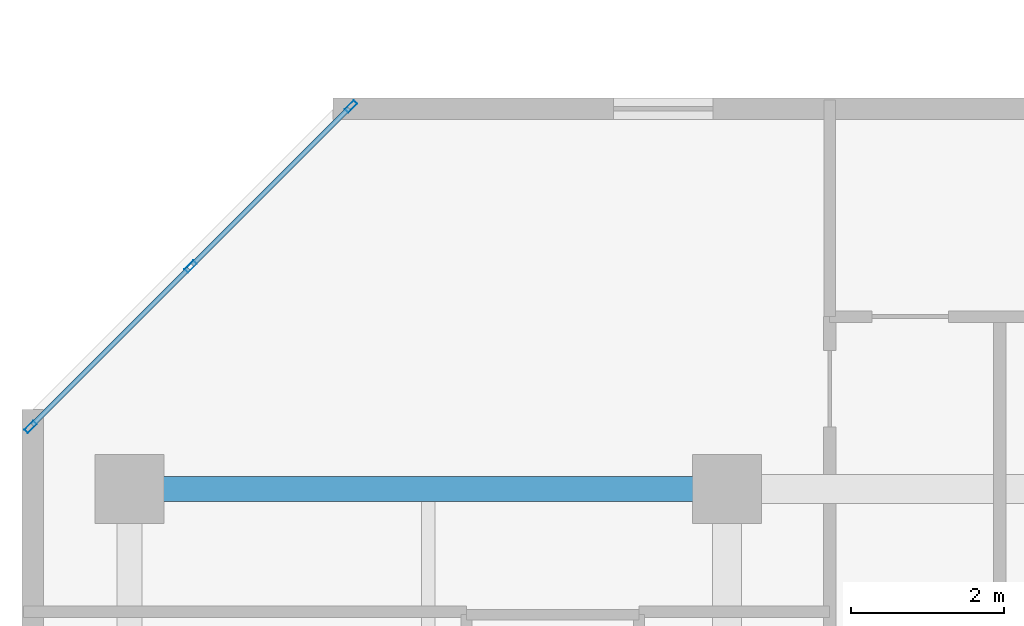
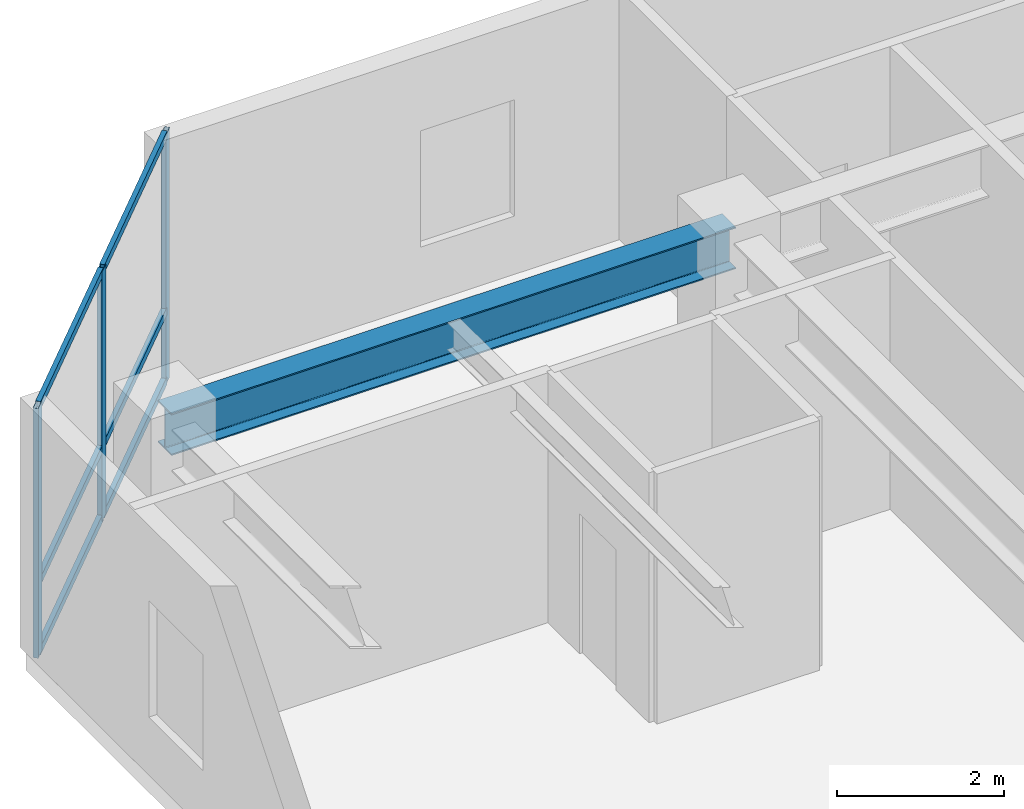
# One storey, part 2 of 11: 9 members, 1 beam, 1 element without a shape of its own.
"""IFC4 building model written with IfcOpenShell, lengths in metres."""

from ifc_helpers import new_model, si_unit, direction, frame, origin, origin_2d, place, context, subcontext, project, spatial, hollow_rectangle, i_section, extrude, material, layer, layer_set, material_profile, profile_set, type_object, element, aggregate, save


model = new_model("IFC4")

# Units and contexts
model_context = context("Model", 3, precision=1e-05, world=origin(), true_north=direction((0.0, 1.0)))
body_context = subcontext(model_context, "Body", "Model", "MODEL_VIEW")
ifc_project = project(units=[si_unit("LENGTHUNIT", "METRE"), si_unit("AREAUNIT", "SQUARE_METRE"), si_unit("VOLUMEUNIT", "CUBIC_METRE"), si_unit("PLANEANGLEUNIT", "RADIAN"), si_unit("MASSUNIT", "GRAM", prefix="KILO")], contexts=[model_context])

# Site, building, storey
site_placement = place(None, origin())
site = spatial("IfcSite", under=ifc_project, at=site_placement, CompositionType="ELEMENT")
building_placement = place(site_placement, origin())
building = spatial("IfcBuilding", under=site, at=building_placement, Name="Kestravale Grand Hotel", CompositionType="ELEMENT")
storey_placement = place(building_placement, frame((0.0, 0.0, 200.699951171875)))
storey = spatial("IfcBuildingStorey", under=building, at=storey_placement, Name="L50", CompositionType="ELEMENT", Elevation=200.699951171875)

# Beam
ifc_material_1 = material(Name="Steel ASTM A992 Grade 50", Category="steel")
ifc_material_profile_1 = material_profile(ifc_material_1, i_section(OverallWidth=0.324951171875, OverallDepth=0.612060546875, WebThickness=0.0126953125, FlangeThickness=0.01904296875, FilletRadius=0.018798828125, at=origin_2d()))
ifc_profile_set_1 = profile_set([ifc_material_profile_1], Name="Steel ASTM A992 Grade 50")
beam_type = type_object("IfcBeamType", Name="B-FLR-W24A", PredefinedType="SPANDREL", material=ifc_profile_set_1)
beam_placement = place(storey_placement, frame((7.800048828125, 38.39990234375, 3.343994140625), z_axis=(1.0, 0.0, 0.0), x_axis=(0.0, 1.0, 0.0)))
element("IfcBeam", 1, at=beam_placement, inside=storey, type_object=beam_type, Name="L50 spandrel F:2-3", PredefinedType="SPANDREL", context=body_context, shape_type="SweptSolid", body=[
    extrude(i_section(OverallWidth=0.324951171875, OverallDepth=0.612060546875, WebThickness=0.0126953125, FlangeThickness=0.01904296875, FilletRadius=0.018798828125, at=origin_2d()), origin(), (0.0, 0.0, 1.0), 7.800048828125),
])

# Curtain wall, members
ifc_material_2 = material(Name="Thermally broken champagne-bronze aluminium and low-E glazing", Category="aluminium")
ifc_layer = layer(ifc_material_2, 0.179931640625)
ifc_layer_set = layer_set([ifc_layer], Name="CW-Z3")
curtain_wall_type = type_object("IfcCurtainWallType", Name="CW-Z3", PredefinedType="NOTDEFINED", material=ifc_layer_set)
curtain_wall_placement = place(storey_placement, origin())
curtain_wall = element("IfcCurtainWall", 2, at=curtain_wall_placement, inside=storey, type_object=curtain_wall_type, Name="L50 unitised curtain wall 18", PredefinedType="NOTDEFINED")
ifc_material_3 = material(Name="Aluminium 6063-T6 anodised", Category="aluminium")
ifc_material_profile_2 = material_profile(ifc_material_3, hollow_rectangle(XDim=0.06494140625, YDim=0.1650390625, WallThickness=0.00341796875, at=origin_2d()))
ifc_profile_set_2 = profile_set([ifc_material_profile_2], Name="Aluminium 6063-T6 anodised")
member_type_1 = type_object("IfcMemberType", Name="CW-MUL-165", PredefinedType="MULLION", material=ifc_profile_set_2)
member_1_placement = place(storey_placement, frame((10.690185546875, 43.392333984375, 0.0), z_axis=(0.0, 0.0, 1.0), x_axis=(0.707106781187, -0.707106781187, 0.0)))
member_1 = element("IfcMember", 3, at=member_1_placement, type_object=member_type_1, Name="CW-Z3 mullion 1", PredefinedType="MULLION", context=body_context, shape_type="SweptSolid", body=[
    extrude(hollow_rectangle(XDim=0.06494140625, YDim=0.1650390625, WallThickness=0.00341796875, at=origin_2d()), origin(), (0.0, 0.0, 1.0), 3.650146484375),
])
member_2_placement = place(storey_placement, frame((8.59912109375, 41.301025390625, 0.0), z_axis=(0.0, 0.0, 1.0), x_axis=(0.707106781187, -0.707106781187, 0.0)))
member_2 = element("IfcMember", 4, at=member_2_placement, type_object=member_type_1, Name="CW-Z3 mullion 2", PredefinedType="MULLION", context=body_context, shape_type="SweptSolid", body=[
    extrude(hollow_rectangle(XDim=0.06494140625, YDim=0.1650390625, WallThickness=0.00341796875, at=origin_2d()), origin(), (0.0, 0.0, 1.0), 3.650146484375),
])
member_3_placement = place(storey_placement, frame((6.5078125, 39.209716796875, 0.0), z_axis=(0.0, 0.0, 1.0), x_axis=(0.707106781187, -0.707106781187, 0.0)))
member_3 = element("IfcMember", 5, at=member_3_placement, type_object=member_type_1, Name="CW-Z3 mullion 3", PredefinedType="MULLION", context=body_context, shape_type="SweptSolid", body=[
    extrude(hollow_rectangle(XDim=0.06494140625, YDim=0.1650390625, WallThickness=0.00341796875, at=origin_2d()), origin(), (0.0, 0.0, 1.0), 3.650146484375),
])
ifc_material_4 = material(Name="Aluminium 6063-T6 anodised", Category="aluminium")
ifc_material_profile_3 = material_profile(ifc_material_4, hollow_rectangle(XDim=0.06494140625, YDim=0.114990234375, WallThickness=0.003173828125, at=origin_2d()))
ifc_profile_set_3 = profile_set([ifc_material_profile_3], Name="Aluminium 6063-T6 anodised")
member_type_2 = type_object("IfcMemberType", Name="CW-TRN-115", PredefinedType="USERDEFINED", material=ifc_profile_set_3)
member_4_placement = place(storey_placement, frame((10.667236328125, 43.369140625, 0.032470703125), z_axis=(-0.707106781187, -0.707106781187, 0.0), x_axis=(0.707106781187, -0.707106781187, 0.0)))
member_4 = element("IfcMember", 6, at=member_4_placement, type_object=member_type_2, Name="CW-Z3 transom 1.1", ObjectType="TRANSOM", PredefinedType="USERDEFINED", context=body_context, shape_type="SweptSolid", body=[
    extrude(hollow_rectangle(XDim=0.06494140625, YDim=0.114990234375, WallThickness=0.003173828125, at=origin_2d()), origin(), (0.0, 0.0, 1.0), 2.892333984375),
])
member_5_placement = place(storey_placement, frame((10.667236328125, 43.369140625, 1.050048828125), z_axis=(-0.707106781187, -0.707106781187, 0.0), x_axis=(0.707106781187, -0.707106781187, 0.0)))
member_5 = element("IfcMember", 7, at=member_5_placement, type_object=member_type_2, Name="CW-Z3 transom 1.2", ObjectType="TRANSOM", PredefinedType="USERDEFINED", context=body_context, shape_type="SweptSolid", body=[
    extrude(hollow_rectangle(XDim=0.06494140625, YDim=0.114990234375, WallThickness=0.003173828125, at=origin_2d()), origin(), (0.0, 0.0, 1.0), 2.892333984375),
])
member_6_placement = place(storey_placement, frame((10.667236328125, 43.369140625, 3.617431640625), z_axis=(-0.707106781187, -0.707106781187, 0.0), x_axis=(0.707106781187, -0.707106781187, 0.0)))
member_6 = element("IfcMember", 8, at=member_6_placement, type_object=member_type_2, Name="CW-Z3 transom 1.3", ObjectType="TRANSOM", PredefinedType="USERDEFINED", context=body_context, shape_type="SweptSolid", body=[
    extrude(hollow_rectangle(XDim=0.06494140625, YDim=0.114990234375, WallThickness=0.003173828125, at=origin_2d()), origin(), (0.0, 0.0, 1.0), 2.892333984375),
])
member_7_placement = place(storey_placement, frame((8.575927734375, 41.278076171875, 0.032470703125), z_axis=(-0.707064577195, -0.707148982659, 0.0), x_axis=(0.707148982659, -0.707064577195, 0.0)))
member_7 = element("IfcMember", 9, at=member_7_placement, type_object=member_type_2, Name="CW-Z3 transom 2.1", ObjectType="TRANSOM", PredefinedType="USERDEFINED", context=body_context, shape_type="SweptSolid", body=[
    extrude(hollow_rectangle(XDim=0.06494140625, YDim=0.114990234375, WallThickness=0.003173828125, at=origin_2d()), origin(), (0.0, 0.0, 1.0), 2.892578125),
])
member_8_placement = place(storey_placement, frame((8.575927734375, 41.278076171875, 1.050048828125), z_axis=(-0.707064577195, -0.707148982659, 0.0), x_axis=(0.707148982659, -0.707064577195, 0.0)))
member_8 = element("IfcMember", 10, at=member_8_placement, type_object=member_type_2, Name="CW-Z3 transom 2.2", ObjectType="TRANSOM", PredefinedType="USERDEFINED", context=body_context, shape_type="SweptSolid", body=[
    extrude(hollow_rectangle(XDim=0.06494140625, YDim=0.114990234375, WallThickness=0.003173828125, at=origin_2d()), origin(), (0.0, 0.0, 1.0), 2.892578125),
])
member_9_placement = place(storey_placement, frame((8.575927734375, 41.278076171875, 3.617431640625), z_axis=(-0.707064577195, -0.707148982659, 0.0), x_axis=(0.707148982659, -0.707064577195, 0.0)))
member_9 = element("IfcMember", 11, at=member_9_placement, type_object=member_type_2, Name="CW-Z3 transom 2.3", ObjectType="TRANSOM", PredefinedType="USERDEFINED", context=body_context, shape_type="SweptSolid", body=[
    extrude(hollow_rectangle(XDim=0.06494140625, YDim=0.114990234375, WallThickness=0.003173828125, at=origin_2d()), origin(), (0.0, 0.0, 1.0), 2.892578125),
])
aggregate(curtain_wall, [member_1, member_2, member_3, member_4, member_5, member_6, member_7, member_8, member_9])

save(model, "model.ifc")
